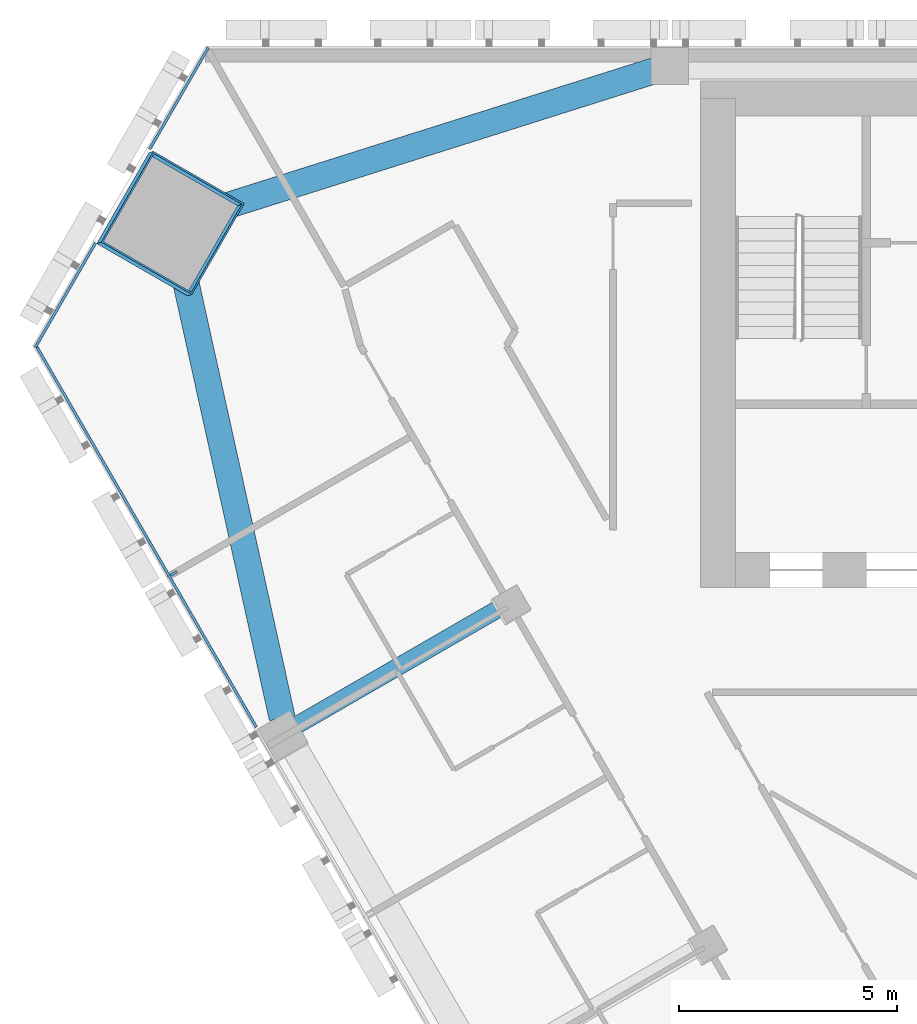
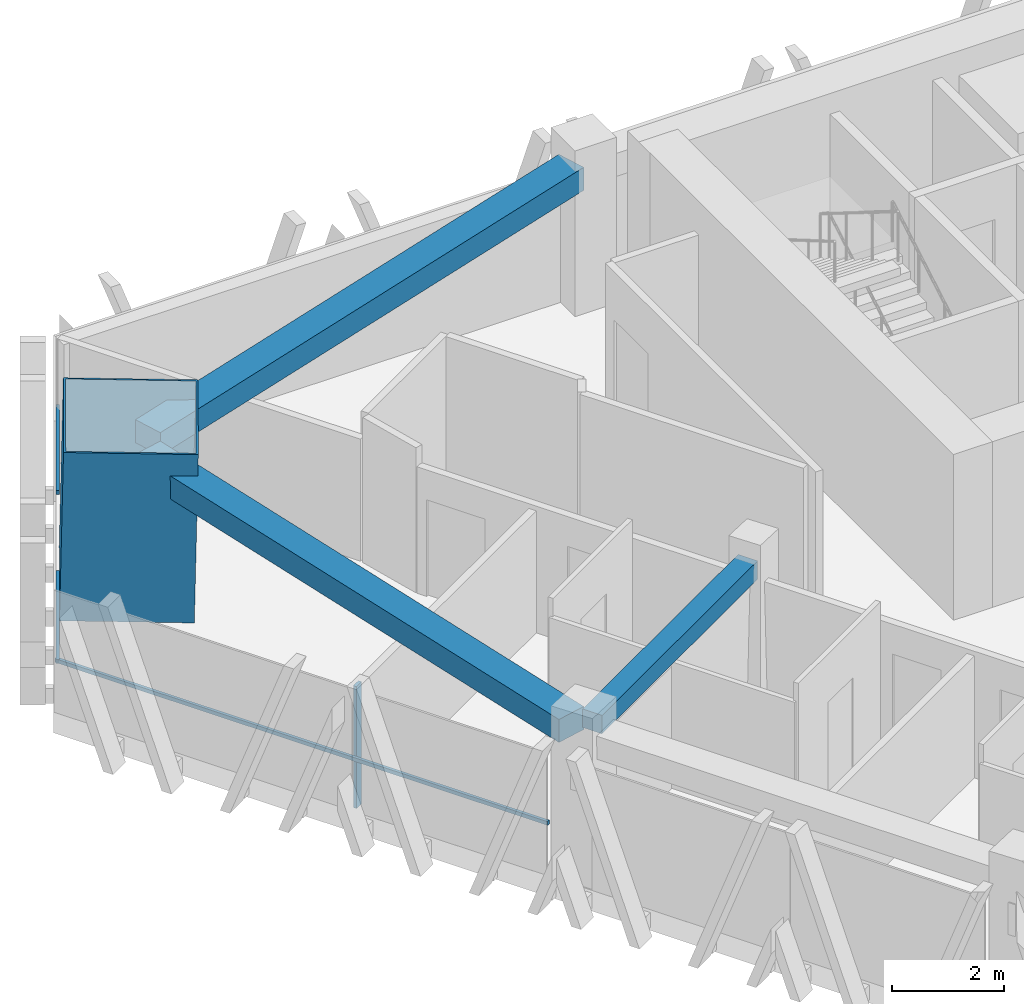
# One storey, part 5 of 16: 5 members, 3 beams, 2 elements without a shape of their own.
"""IFC4 building model written with IfcOpenShell, lengths in metres."""

from ifc_helpers import new_model, si_unit, direction, frame, origin, origin_2d, place, context, subcontext, project, spatial, rectangle, hollow_rectangle, extrude, material, layer, layer_set, material_profile, profile_set, type_object, element, aggregate, save


model = new_model("IFC4")

# Units and contexts
model_context = context("Model", 3, precision=1e-05, world=origin(), true_north=direction((0.0, 1.0)))
body_context = subcontext(model_context, "Body", "Model", "MODEL_VIEW")
ifc_project = project(units=[si_unit("LENGTHUNIT", "METRE"), si_unit("AREAUNIT", "SQUARE_METRE"), si_unit("VOLUMEUNIT", "CUBIC_METRE"), si_unit("PLANEANGLEUNIT", "RADIAN"), si_unit("MASSUNIT", "GRAM", prefix="KILO")], contexts=[model_context])

# Site, building, storey
site_placement = place(None, origin())
site = spatial("IfcSite", under=ifc_project, at=site_placement, CompositionType="ELEMENT")
building_placement = place(site_placement, origin())
building = spatial("IfcBuilding", under=site, at=building_placement, Name="Altiplano Prism Tower", CompositionType="ELEMENT")
storey_placement = place(building_placement, frame((0.0, 0.0, 124.199951171875)))
storey = spatial("IfcBuildingStorey", under=building, at=storey_placement, Name="L31", CompositionType="ELEMENT", Elevation=124.199951171875)

# Curtain wall, member
ifc_material_1 = material(Name="Aluminium and glass", Category="aluminium")
ifc_layer = layer(ifc_material_1, 0.280029296875)
ifc_layer_set = layer_set([ifc_layer], Name="Aluminium and glass")
curtain_wall_type = type_object("IfcCurtainWallType", Name="CW1 typical co-living unitised curtain wall", PredefinedType="NOTDEFINED", material=ifc_layer_set)
curtain_wall_1_placement = place(storey_placement, origin())
curtain_wall_1 = element("IfcCurtainWall", 1, at=curtain_wall_1_placement, inside=storey, type_object=curtain_wall_type, Name="CW1 curtain wall south-west face L31", PredefinedType="NOTDEFINED")
ifc_material_2 = material(Name="Aluminium", Category="aluminium")
ifc_material_profile_1 = material_profile(ifc_material_2, rectangle(XDim=0.179931640625, YDim=0.06494140625, at=origin_2d()), Name="CW1 mullion 65 x 180")
ifc_profile_set_1 = profile_set([ifc_material_profile_1], Name="Aluminium")
member_type_1 = type_object("IfcMemberType", Name="CW1 mullion 65 x 180", PredefinedType="MULLION", material=ifc_profile_set_1)
member_1_placement = place(storey_placement, frame((60.1376953125, 92.92431640625, 0.0), z_axis=(0.0, 0.0, 1.0), x_axis=(0.866025409719, 0.499999989722, 0.0)))
member_1 = element("IfcMember", 2, at=member_1_placement, type_object=member_type_1, Name="CW1 mullion", PredefinedType="MULLION", context=body_context, shape_type="SweptSolid", body=[
    extrude(rectangle(XDim=0.179931640625, YDim=0.06494140625, at=origin_2d()), origin(), (0.0, 0.0, 1.0), 2.650146484375),
])

# Curtain wall, members
curtain_wall_2_placement = place(storey_placement, origin())
curtain_wall_2 = element("IfcCurtainWall", 3, at=curtain_wall_2_placement, inside=storey, type_object=curtain_wall_type, Name="CW1 curtain wall north-west chamfer L31", PredefinedType="NOTDEFINED")
ifc_material_profile_2 = material_profile(ifc_material_2, rectangle(XDim=0.06005859375, YDim=0.080078125, at=origin_2d()), Name="CW1 transom 80 x 60")
ifc_profile_set_2 = profile_set([ifc_material_profile_2], Name="Aluminium")
member_type_2 = type_object("IfcMemberType", Name="CW1 transom 80 x 60", PredefinedType="USERDEFINED", material=ifc_profile_set_2)
member_2_placement = place(storey_placement, frame((60.9287109375, 104.965087890625, 1.10009765625), z_axis=(-0.499958946799, -0.866049104564, 0.0), x_axis=(0.866049104564, -0.499958946799, 0.0)))
member_2 = element("IfcMember", 4, at=member_2_placement, type_object=member_type_2, Name="CW1 transom", ObjectType="TRANSOM", PredefinedType="USERDEFINED", context=body_context, shape_type="SweptSolid", body=[
    extrude(rectangle(XDim=0.06005859375, YDim=0.080078125, at=origin_2d()), origin(), (0.0, 0.0, 1.0), 2.680908203125),
])
member_3_placement = place(storey_placement, frame((58.348388671875, 100.49560546875, 1.10009765625), z_axis=(-0.499962294346, -0.86604717206, 0.0), x_axis=(0.86604717206, -0.499962294346, 0.0)))
member_3 = element("IfcMember", 5, at=member_3_placement, type_object=member_type_2, Name="CW1 transom", ObjectType="TRANSOM", PredefinedType="USERDEFINED", context=body_context, shape_type="SweptSolid", body=[
    extrude(rectangle(XDim=0.06005859375, YDim=0.080078125, at=origin_2d()), origin(), (0.0, 0.0, 1.0), 2.760986328125),
])
aggregate(curtain_wall_2, [member_2, member_3])

# Member
member_4_placement = place(storey_placement, frame((56.968017578125, 98.174560546875, 1.10009765625), z_axis=(0.499986781806, -0.866033035178, 0.0), x_axis=(0.866033035178, 0.499986781806, 0.0)))
member_4 = element("IfcMember", 6, at=member_4_placement, type_object=member_type_2, Name="CW1 transom", ObjectType="TRANSOM", PredefinedType="USERDEFINED", context=body_context, shape_type="SweptSolid", body=[
    extrude(rectangle(XDim=0.06005859375, YDim=0.080078125, at=origin_2d()), origin(), (0.0, 0.0, 1.0), 10.127197265625),
])

aggregate(curtain_wall_1, [member_1, member_4])

# Beams
ifc_material_3 = material(Name="Concrete C60/75", Category="concrete")
ifc_material_profile_3 = material_profile(ifc_material_3, rectangle(XDim=0.60009765625, YDim=0.5, at=origin_2d()), Name="Edge beam 600x500")
ifc_profile_set_3 = profile_set([ifc_material_profile_3], Name="Concrete C60/75")
beam_type_1 = type_object("IfcBeamType", Name="Edge beam 600x500", PredefinedType="SPANDREL", material=ifc_profile_set_3)
beam_1_placement = place(storey_placement, frame((71.189453125, 104.451904296875, 2.900146484375), z_axis=(-0.953535056899, -0.301282085868, 0.0), x_axis=(0.301282085868, -0.953535056899, 0.0)))
element("IfcBeam", 7, at=beam_1_placement, inside=storey, type_object=beam_type_1, Name="Edge beam P04-M0 L32", PredefinedType="SPANDREL", context=body_context, shape_type="SweptSolid", body=[
    extrude(rectangle(XDim=0.60009765625, YDim=0.5, at=origin_2d()), origin(), (0.0, 0.0, 1.0), 11.163330078125),
])
beam_2_placement = place(storey_placement, frame((60.212890625, 100.513671875, 2.900146484375), z_axis=(0.215860480853, -0.976424217646, 0.0), x_axis=(0.976424217646, 0.215860480853, 0.0)))
element("IfcBeam", 8, at=beam_2_placement, inside=storey, type_object=beam_type_1, Name="Edge beam M0-P11 L32", PredefinedType="SPANDREL", context=body_context, shape_type="SweptSolid", body=[
    extrude(rectangle(XDim=0.60009765625, YDim=0.5, at=origin_2d()), origin(), (0.0, 0.0, 1.0), 11.1630859375),
])

# Member
ifc_material_4 = material(Name="Steel S460", Category="steel")
ifc_material_profile_4 = material_profile(ifc_material_4, hollow_rectangle(XDim=2.39990234375, YDim=2.39990234375, WallThickness=0.0400390625, at=origin_2d()), Name="Mega column tube 2400")
ifc_profile_set_4 = profile_set([ifc_material_profile_4], Name="Steel S460")
member_type_3 = type_object("IfcMemberType", Name="Mega column tube 2400", PredefinedType="POST", material=ifc_profile_set_4)
member_5_placement = place(storey_placement, frame((60.013671875, 100.919677734375, 0.0), z_axis=(0.028334066552, 0.009286524205, 0.999555371723), x_axis=(-0.86655567717, 0.498682281887, 0.019930882981)))
element("IfcMember", 9, at=member_5_placement, inside=storey, type_object=member_type_3, Name="Mega column tube M0 L31", PredefinedType="POST", context=body_context, shape_type="SweptSolid", body=[
    extrude(hollow_rectangle(XDim=2.39990234375, YDim=2.39990234375, WallThickness=0.0400390625, at=origin_2d()), origin(), (0.0, 0.0, 1.0), 3.601806640625),
])

# Beam
ifc_material_profile_5 = material_profile(ifc_material_3, rectangle(XDim=0.39990234375, YDim=0.39990234375, at=origin_2d()), Name="Tie beam 400x400")
ifc_profile_set_5 = profile_set([ifc_material_profile_5], Name="Concrete C60/75")
beam_type_2 = type_object("IfcBeamType", Name="Tie beam 400x400", PredefinedType="BEAM", material=ifc_profile_set_5)
beam_3_placement = place(storey_placement, frame((67.7548828125, 92.218017578125, 2.949951171875), z_axis=(-0.866046155052, -0.499964056028, 0.0), x_axis=(0.499964056028, -0.866046155052, 0.0)))
element("IfcBeam", 10, at=beam_3_placement, inside=storey, type_object=beam_type_2, Name="Tie beam I11 L32", PredefinedType="BEAM", context=body_context, shape_type="SweptSolid", body=[
    extrude(rectangle(XDim=0.39990234375, YDim=0.39990234375, at=origin_2d()), origin(), (0.0, 0.0, 1.0), 5.5400390625),
])

save(model, "model.ifc")
